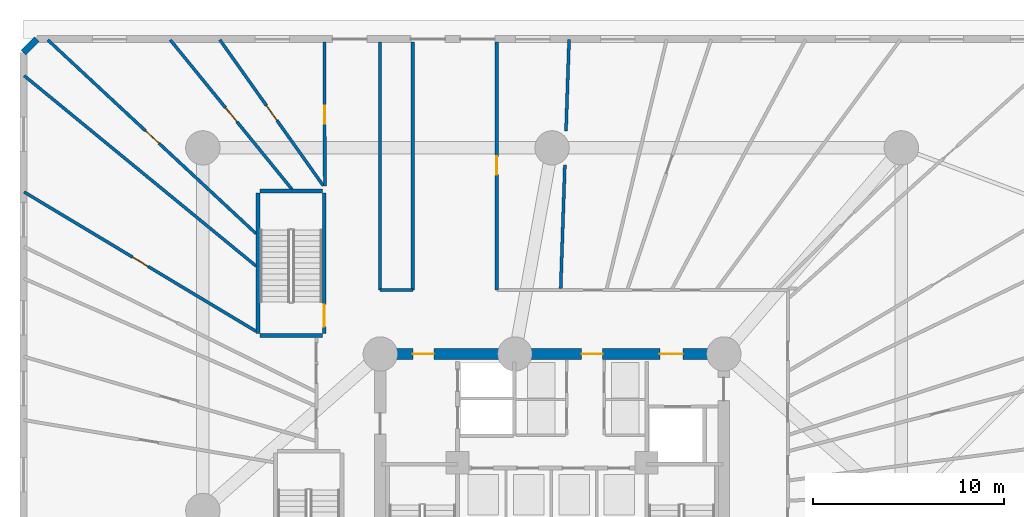
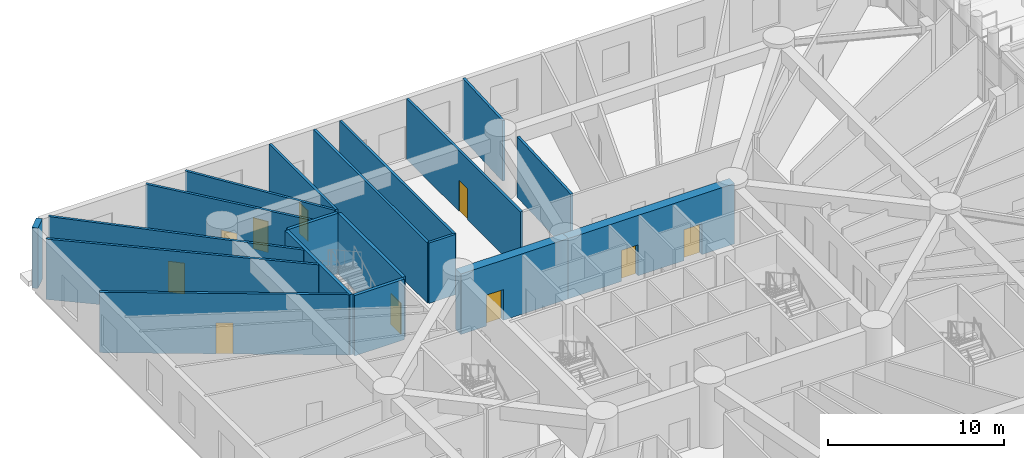
# One storey, part 18 of 30: 19 walls, 10 doors, 10 openings.
"""IFC4 building model written with IfcOpenShell, lengths in metres."""

from ifc_helpers import new_model, si_unit, direction, frame, frame_2d, origin, origin_with_axes, place, context, subcontext, project, spatial, rectangle, extrude, source, transform, mapped, material, layer, layer_set, type_object, element, fill, save


model = new_model("IFC4")

# Units and contexts
model_context = context("Model", 3, precision=1e-05, world=origin(), true_north=direction((0.0, 1.0)))
body_context = subcontext(model_context, "Body", "Model", "MODEL_VIEW")
ifc_project = project(units=[si_unit("LENGTHUNIT", "METRE"), si_unit("AREAUNIT", "SQUARE_METRE"), si_unit("VOLUMEUNIT", "CUBIC_METRE"), si_unit("PLANEANGLEUNIT", "RADIAN"), si_unit("MASSUNIT", "GRAM", prefix="KILO")], contexts=[model_context])

# Site, building, storey
site_placement = place(None, origin())
site = spatial("IfcSite", under=ifc_project, at=site_placement, CompositionType="ELEMENT")
building_placement = place(site_placement, origin())
building = spatial("IfcBuilding", under=site, at=building_placement, Name="Karkom Vertical University and Central Library", CompositionType="ELEMENT")
storey_placement = place(building_placement, origin())
storey = spatial("IfcBuildingStorey", under=building, at=storey_placement, Name="L00", CompositionType="ELEMENT", Elevation=0.0)

# Walls
ifc_material_1 = material(Name="Brick masonry 360mm insulated cavity", Category="masonry")
ifc_layer_1 = layer(ifc_material_1, 0.360107421875)
ifc_layer_set_1 = layer_set([ifc_layer_1], Name="Brick masonry 360mm insulated cavity")
wall_type_1 = type_object("IfcWallType", Name="ENV-WL-BRK-360", PredefinedType="SOLIDWALL", material=ifc_layer_set_1)
wall_1_placement = place(storey_placement, frame((1.5, 51.199951171875, 0.0), z_axis=(0.0, 0.0, 1.0), x_axis=(-0.707106781187, -0.707106781187, 0.0)))
element("IfcWall", 1, at=wall_1_placement, inside=storey, type_object=wall_type_1, Name="Level 00 POD Terracotta Brick Facade Wall 06", PredefinedType="SOLIDWALL", context=body_context, shape_type="SweptSolid", body=[
    extrude(rectangle(XDim=0.989990234375, YDim=0.360107421875, at=frame_2d((0.4951171875, 0.0))), origin(), (0.0, 0.0, 1.0), 4.199951171875),
])
ifc_material_2 = material(Name="Insulated metal-stud drywall 160mm", Category="gypsum")
ifc_layer_2 = layer(ifc_material_2, 0.159912109375)
ifc_layer_set_2 = layer_set([ifc_layer_2], Name="Insulated metal-stud drywall 160mm")
wall_type_2 = type_object("IfcWallType", Name="INT-WL-COR-160", PredefinedType="PARTITIONING", material=ifc_layer_set_2)
wall_2_placement = place(storey_placement, frame((12.992919921875, 39.306640625, 0.0), z_axis=(0.0, 0.0, 1.0), x_axis=(-0.772944890545, 0.634473164272, 0.0)))
element("IfcWall", 2, at=wall_2_placement, inside=storey, type_object=wall_type_2, Name="Level 00 Interior Partition Wall L00-PODW-44-45-1", PredefinedType="PARTITIONING", context=body_context, shape_type="SweptSolid", body=[
    extrude(rectangle(XDim=15.723388671875, YDim=0.159912109375, at=frame_2d((7.86181640625, 0.0))), origin(), (0.0, 0.0, 1.0), 4.199951171875),
])

# Wall, opening, door
wall_3_placement = place(storey_placement, frame((12.992919921875, 41.00390625, 0.0), z_axis=(0.0, 0.0, 1.0), x_axis=(-0.732268799171, 0.681015716236, 0.0)))
wall_3 = element("IfcWall", 3, at=wall_3_placement, inside=storey, type_object=wall_type_2, Name="Level 00 Interior Partition Wall L00-PODW-43-44-1", PredefinedType="PARTITIONING", context=body_context, shape_type="SweptSolid", body=[
    extrude(rectangle(XDim=14.90478515625, YDim=0.159912109375, at=frame_2d((7.452392578125, 0.0))), origin(), (0.0, 0.0, 1.0), 4.199951171875),
])
opening_1_placement = place(wall_3_placement, frame((6.9599609375, 0.0, 0.0)))
opening_1 = element("IfcOpeningElement", 4, at=opening_1_placement, cuts=wall_3, Name="Opening FD-RM2", PredefinedType="OPENING", context=body_context, shape_type="SweptSolid", body=[
    extrude(rectangle(XDim=0.9599609375, YDim=2.14990234375, at=frame_2d((0.47998046875, 1.074951171875))), frame((0.0, 0.08984375, 0.0), z_axis=(0.0, -1.0, 0.0), x_axis=(1.0, 0.0, 0.0)), (0.0, 0.0, 1.0), 0.179931640625),
])
ifc_material_3 = material(Name="Fire-rated oak veneer door", Category="wood")
door_type_1 = type_object("IfcDoorType", Name="INT-DR-FRM2", OperationType="NOTDEFINED", PredefinedType="DOOR", material=ifc_material_3)
shared_shape_1 = source(origin_with_axes(), body_context, "Body", "SweptSolid", [
    extrude(rectangle(XDim=0.9599609375, YDim=2.14990234375, at=frame_2d((0.47998046875, 1.074951171875))), frame((0.0, 0.02490234375, 0.0), z_axis=(0.0, -1.0, 0.0), x_axis=(1.0, 0.0, 0.0)), (0.0, 0.0, 1.0), 0.050048828125),
])
door_1_placement = place(opening_1_placement, origin())
door_1 = element("IfcDoor", 5, at=door_1_placement, inside=storey, type_object=door_type_1, Name="Level 00 Room Entry Door 843", OperationType="SINGLE_SWING_RIGHT", OverallHeight=2.14990234375, OverallWidth=0.9599609375, PredefinedType="DOOR", context=body_context, shape_type="MappedRepresentation", body=[
    mapped(shared_shape_1, transform((0.0, 0.0, 0.0), scale=1.0)),
])
fill(opening_1, door_1)

wall_4_placement = place(storey_placement, frame((12.992919921875, 35.885498046875, 0.0), z_axis=(0.0, 0.0, 1.0), x_axis=(-0.857213350392, 0.514961427594, 0.0)))
wall_4 = element("IfcWall", 6, at=wall_4_placement, inside=storey, type_object=wall_type_2, Name="Level 00 Interior Partition Wall L00-PODW-45-46-1", PredefinedType="PARTITIONING", context=body_context, shape_type="SweptSolid", body=[
    extrude(rectangle(XDim=14.18408203125, YDim=0.159912109375, at=frame_2d((7.092041015625, 0.0))), origin(), (0.0, 0.0, 1.0), 4.199951171875),
])
opening_2_placement = place(wall_4_placement, frame((6.599609375, 0.0, 0.0)))
opening_2 = element("IfcOpeningElement", 7, at=opening_2_placement, cuts=wall_4, Name="Opening FD-RM2", PredefinedType="OPENING", context=body_context, shape_type="SweptSolid", body=[
    extrude(rectangle(XDim=0.9599609375, YDim=2.14990234375, at=frame_2d((0.47998046875, 1.074951171875))), frame((0.0, 0.08984375, 0.0), z_axis=(0.0, -1.0, 0.0), x_axis=(1.0, 0.0, 0.0)), (0.0, 0.0, 1.0), 0.179931640625),
])
door_2_placement = place(opening_2_placement, origin())
door_2 = element("IfcDoor", 8, at=door_2_placement, inside=storey, type_object=door_type_1, Name="Level 00 Room Entry Door 844", OperationType="SINGLE_SWING_LEFT", OverallHeight=2.14990234375, OverallWidth=0.9599609375, PredefinedType="DOOR", context=body_context, shape_type="MappedRepresentation", body=[
    mapped(shared_shape_1, transform((0.0, 0.0, 0.0), scale=1.0)),
])
fill(opening_2, door_2)

wall_5_placement = place(storey_placement, frame((14.872314453125, 43.325439453125, 0.0), z_axis=(0.0, 0.0, 1.0), x_axis=(-0.63154172537, 0.775341891759, 0.0)))
wall_5 = element("IfcWall", 9, at=wall_5_placement, inside=storey, type_object=wall_type_2, Name="Level 00 Interior Partition Wall L00-PODW-42-43-1", PredefinedType="PARTITIONING", context=body_context, shape_type="SweptSolid", body=[
    extrude(rectangle(XDim=10.105224609375, YDim=0.159912109375, at=frame_2d((5.052734375, 0.0))), origin(), (0.0, 0.0, 1.0), 4.199951171875),
])
opening_3_placement = place(wall_5_placement, frame((4.552490234375, 0.0, 0.0)))
opening_3 = element("IfcOpeningElement", 10, at=opening_3_placement, cuts=wall_5, Name="Opening FD-RM2", PredefinedType="OPENING", context=body_context, shape_type="SweptSolid", body=[
    extrude(rectangle(XDim=0.9599609375, YDim=2.14990234375, at=frame_2d((0.47998046875, 1.074951171875))), frame((0.0, 0.08984375, 0.0), z_axis=(0.0, -1.0, 0.0), x_axis=(1.0, 0.0, 0.0)), (0.0, 0.0, 1.0), 0.179931640625),
])
door_3_placement = place(opening_3_placement, origin())
door_3 = element("IfcDoor", 11, at=door_3_placement, inside=storey, type_object=door_type_1, Name="Level 00 Room Entry Door 842", OperationType="SINGLE_SWING_LEFT", OverallHeight=2.14990234375, OverallWidth=0.9599609375, PredefinedType="DOOR", context=body_context, shape_type="MappedRepresentation", body=[
    mapped(shared_shape_1, transform((0.0, 0.0, 0.0), scale=1.0)),
])
fill(opening_3, door_3)

wall_6_placement = place(storey_placement, frame((16.509765625, 43.517578125, 0.0), z_axis=(0.0, 0.0, 1.0), x_axis=(-0.578309317505, 0.815817585792, 0.0)))
wall_6 = element("IfcWall", 12, at=wall_6_placement, inside=storey, type_object=wall_type_2, Name="Level 00 Interior Partition Wall L00-PODW-41-42-1", PredefinedType="PARTITIONING", context=body_context, shape_type="SweptSolid", body=[
    extrude(rectangle(XDim=9.37158203125, YDim=0.159912109375, at=frame_2d((4.685791015625, 0.0))), origin(), (0.0, 0.0, 1.0), 4.199951171875),
])
opening_4_placement = place(wall_6_placement, frame((4.193359375, 0.0, 0.0)))
opening_4 = element("IfcOpeningElement", 13, at=opening_4_placement, cuts=wall_6, Name="Opening FD-RM2", PredefinedType="OPENING", context=body_context, shape_type="SweptSolid", body=[
    extrude(rectangle(XDim=0.9599609375, YDim=2.14990234375, at=frame_2d((0.47998046875, 1.074951171875))), frame((0.0, 0.08984375, 0.0), z_axis=(0.0, -1.0, 0.0), x_axis=(1.0, 0.0, 0.0)), (0.0, 0.0, 1.0), 0.179931640625),
])
door_4_placement = place(opening_4_placement, origin())
door_4 = element("IfcDoor", 14, at=door_4_placement, inside=storey, type_object=door_type_1, Name="Level 00 Room Entry Door 841", OperationType="SINGLE_SWING_RIGHT", OverallHeight=2.14990234375, OverallWidth=0.9599609375, PredefinedType="DOOR", context=body_context, shape_type="MappedRepresentation", body=[
    mapped(shared_shape_1, transform((0.0, 0.0, 0.0), scale=1.0)),
])
fill(opening_4, door_4)

# Walls
wall_7_placement = place(storey_placement, frame((28.951171875, 38.132080078125, 0.0), z_axis=(0.0, 0.0, 1.0), x_axis=(0.033598266136, 0.99943541888, 0.0)))
element("IfcWall", 15, at=wall_7_placement, inside=storey, type_object=wall_type_2, Name="Level 00 Interior Partition Wall L00-PODW-38-39-2", PredefinedType="PARTITIONING", context=body_context, shape_type="SweptSolid", body=[
    extrude(rectangle(XDim=6.481689453125, YDim=0.159912109375, at=frame_2d((3.24072265625, 0.0))), origin(), (0.0, 0.0, 1.0), 4.199951171875),
])
wall_8_placement = place(storey_placement, frame((29.228759765625, 46.389892578125, 0.0), z_axis=(0.0, 0.0, 1.0), x_axis=(0.033603460508, 0.999435244246, 0.0)))
element("IfcWall", 16, at=wall_8_placement, inside=storey, type_object=wall_type_2, Name="Level 00 Interior Partition Wall L00-PODW-38-39-1", PredefinedType="PARTITIONING", context=body_context, shape_type="SweptSolid", body=[
    extrude(rectangle(XDim=4.787841796875, YDim=0.159912109375, at=frame_2d((2.39404296875, 0.0))), origin(), (0.0, 0.0, 1.0), 4.199951171875),
])
ifc_layer_3 = layer(ifc_material_2, 0.159912109375)
ifc_layer_set_3 = layer_set([ifc_layer_3], Name="Insulated metal-stud drywall 160mm")
wall_type_3 = type_object("IfcWallType", Name="INT-WL-COR-160F", PredefinedType="PARTITIONING", material=ifc_layer_set_3)
for number, where, z_axis, x_axis, name in (
    (17, (19.47998046875, 51.034912109375, 0.0), (0.0, 0.0, 1.0), (0.0, -1.0, 0.0), "Level 00 Interior Partition Wall L00-PDCW-CW-004"),
    (18, (21.199951171875, 38.050048828125, 0.0), (0.0, 0.0, 1.0), (0.0, 1.0, 0.0), "Level 00 Interior Partition Wall L00-PDCW-CW-006"),
):
    element("IfcWall", number, at=place(storey_placement, frame(where, z_axis=z_axis, x_axis=x_axis)), inside=storey, type_object=wall_type_3, Name=name, PredefinedType="PARTITIONING", context=body_context, shape_type="SweptSolid", body=[
        extrude(rectangle(XDim=12.98486328125, YDim=0.159912109375, at=frame_2d((6.492431640625, 0.0))), origin(), (0.0, 0.0, 1.0), 4.199951171875),
    ])

# Wall, opening, door
wall_9_placement = place(storey_placement, frame((25.60009765625, 51.034912109375, 0.0), z_axis=(0.0, 0.0, 1.0), x_axis=(0.0, -1.0, 0.0)))
wall_9 = element("IfcWall", 19, at=wall_9_placement, inside=storey, type_object=wall_type_3, Name="Level 00 Interior Partition Wall L00-PDCW-CW-007", PredefinedType="PARTITIONING", context=body_context, shape_type="SweptSolid", body=[
    extrude(rectangle(XDim=12.98486328125, YDim=0.159912109375, at=frame_2d((6.492431640625, 0.0))), origin(), (0.0, 0.0, 1.0), 4.199951171875),
])
opening_5_placement = place(wall_9_placement, frame((5.97998046875, 0.0, 0.0)))
opening_5 = element("IfcOpeningElement", 20, at=opening_5_placement, cuts=wall_9, Name="Opening FD-RM2", PredefinedType="OPENING", context=body_context, shape_type="SweptSolid", body=[
    extrude(rectangle(XDim=0.9599609375, YDim=2.14990234375, at=frame_2d((0.47998046875, 1.074951171875))), frame((0.0, 0.08984375, 0.0), z_axis=(0.0, -1.0, 0.0), x_axis=(1.0, 0.0, 0.0)), (0.0, 0.0, 1.0), 0.179931640625),
])
door_5_placement = place(opening_5_placement, origin())
door_5 = element("IfcDoor", 21, at=door_5_placement, inside=storey, type_object=door_type_1, Name="Level 00 Room Entry Door 838", OperationType="SINGLE_SWING_LEFT", OverallHeight=2.14990234375, OverallWidth=0.9599609375, PredefinedType="DOOR", context=body_context, shape_type="MappedRepresentation", body=[
    mapped(shared_shape_1, transform((0.0, 0.0, 0.0), scale=1.0)),
])
fill(opening_5, door_5)

wall_10_placement = place(storey_placement, frame((16.58984375, 43.510009765625, 0.0), z_axis=(0.0, 0.0, 1.0), x_axis=(-0.001297773224, 0.999999157892, 0.0)))
wall_10 = element("IfcWall", 22, at=wall_10_placement, inside=storey, type_object=wall_type_3, Name="Level 00 Interior Partition Wall L00-PDCW-CW-003", PredefinedType="PARTITIONING", context=body_context, shape_type="SweptSolid", body=[
    extrude(rectangle(XDim=7.52490234375, YDim=0.159912109375, at=frame_2d((3.762451171875, 0.0))), origin(), (0.0, 0.0, 1.0), 4.199951171875),
])
opening_6_placement = place(wall_10_placement, frame((3.25, 0.0, 0.0)))
opening_6 = element("IfcOpeningElement", 23, at=opening_6_placement, cuts=wall_10, Name="Opening FD-RM2", PredefinedType="OPENING", context=body_context, shape_type="SweptSolid", body=[
    extrude(rectangle(XDim=0.9599609375, YDim=2.14990234375, at=frame_2d((0.47998046875, 1.074951171875))), frame((0.0, 0.08984375, 0.0), z_axis=(0.0, -1.0, 0.0), x_axis=(1.0, 0.0, 0.0)), (0.0, 0.0, 1.0), 0.179931640625),
])
door_6_placement = place(opening_6_placement, origin())
door_6 = element("IfcDoor", 24, at=door_6_placement, inside=storey, type_object=door_type_1, Name="Level 00 Room Entry Door 840", OperationType="SINGLE_SWING_LEFT", OverallHeight=2.14990234375, OverallWidth=0.9599609375, PredefinedType="DOOR", context=body_context, shape_type="MappedRepresentation", body=[
    mapped(shared_shape_1, transform((0.0, 0.0, 0.0), scale=1.0)),
])
fill(opening_6, door_6)

# Wall
wall_11_placement = place(storey_placement, frame((19.47998046875, 38.050048828125, 0.0), z_axis=(0.0, 0.0, 1.0), x_axis=(1.0, 0.0, 0.0)))
element("IfcWall", 25, at=wall_11_placement, inside=storey, type_object=wall_type_3, Name="Level 00 Interior Partition Wall L00-PDCW-CW-005", PredefinedType="PARTITIONING", context=body_context, shape_type="SweptSolid", body=[
    extrude(rectangle(XDim=1.719970703125, YDim=0.159912109375, at=frame_2d((0.85986328125, 0.0))), origin(), (0.0, 0.0, 1.0), 4.199951171875),
])

# Wall, openings, doors
ifc_material_4 = material(Name="Concrete C50/60", Category="concrete")
ifc_layer_4 = layer(ifc_material_4, 0.60009765625)
ifc_layer_set_4 = layer_set([ifc_layer_4], Name="Concrete C50/60")
wall_type_4 = type_object("IfcWallType", Name="STR-WL-CW-600", PredefinedType="SHEAR", material=ifc_layer_set_4)
wall_12_placement = place(storey_placement, frame((37.5, 34.699951171875, 0.0), z_axis=(0.0, 0.0, 1.0), x_axis=(-1.0, 0.0, 0.0)))
wall_12 = element("IfcWall", 26, at=wall_12_placement, inside=storey, type_object=wall_type_4, Name="Level 00 Central Core Shear Wall NW1", PredefinedType="SHEAR", context=body_context, shape_type="SweptSolid", body=[
    extrude(rectangle(XDim=10.949951171875, YDim=0.60009765625, at=frame_2d((5.47509765625, 0.0))), origin(), (0.0, 0.0, 1.0), 4.199951171875),
])
opening_7_placement = place(wall_12_placement, frame((2.14990234375, 0.0, 0.0)))
opening_7 = element("IfcOpeningElement", 27, at=opening_7_placement, cuts=wall_12, Name="Opening FD-SUB1", PredefinedType="OPENING", context=body_context, shape_type="SweptSolid", body=[
    extrude(rectangle(XDim=1.199951171875, YDim=2.14990234375, at=frame_2d((0.60009765625, 1.074951171875))), frame((0.0, 0.31005859375, 0.0), z_axis=(0.0, -1.0, 0.0), x_axis=(1.0, 0.0, 0.0)), (0.0, 0.0, 1.0), 0.6201171875),
])
opening_8_placement = place(wall_12_placement, frame((6.35009765625, 0.0, 0.0)))
opening_8 = element("IfcOpeningElement", 28, at=opening_8_placement, cuts=wall_12, Name="Opening FD-FFL", PredefinedType="OPENING", context=body_context, shape_type="SweptSolid", body=[
    extrude(rectangle(XDim=1.10009765625, YDim=2.14990234375, at=frame_2d((0.550048828125, 1.074951171875))), frame((0.0, 0.31005859375, 0.0), z_axis=(0.0, -1.0, 0.0), x_axis=(1.0, 0.0, 0.0)), (0.0, 0.0, 1.0), 0.6201171875),
])
ifc_material_5 = material(Name="Painted steel smoke-seal fire door", Category="steel")
door_type_2 = type_object("IfcDoorType", Name="INT-DR-FFL", OperationType="NOTDEFINED", PredefinedType="DOOR", material=ifc_material_5)
shared_shape_2 = source(origin_with_axes(), body_context, "Body", "SweptSolid", [
    extrude(rectangle(XDim=1.10009765625, YDim=2.14990234375, at=frame_2d((0.550048828125, 1.074951171875))), frame((0.0, 0.02490234375, 0.0), z_axis=(0.0, -1.0, 0.0), x_axis=(1.0, 0.0, 0.0)), (0.0, 0.0, 1.0), 0.050048828125),
])
door_7_placement = place(opening_8_placement, origin())
door_7 = element("IfcDoor", 29, at=door_7_placement, inside=storey, type_object=door_type_2, Name="Level 00 North Core Lobby Exit Door", OperationType="SINGLE_SWING_RIGHT", OverallHeight=2.14990234375, OverallWidth=1.10009765625, PredefinedType="DOOR", context=body_context, shape_type="MappedRepresentation", body=[
    mapped(shared_shape_2, transform((0.0, 0.0, 0.0), scale=1.0)),
])
fill(opening_8, door_7)
ifc_material_6 = material(Name="Painted steel fire door", Category="steel")
door_type_3 = type_object("IfcDoorType", Name="INT-DR-SUB1", OperationType="NOTDEFINED", PredefinedType="DOOR", material=ifc_material_6)
shared_shape_3 = source(origin_with_axes(), body_context, "Body", "SweptSolid", [
    extrude(rectangle(XDim=1.199951171875, YDim=2.14990234375, at=frame_2d((0.60009765625, 1.074951171875))), frame((0.0, 0.02490234375, 0.0), z_axis=(0.0, -1.0, 0.0), x_axis=(1.0, 0.0, 0.0)), (0.0, 0.0, 1.0), 0.050048828125),
])
door_8_placement = place(opening_7_placement, origin())
door_8 = element("IfcDoor", 30, at=door_8_placement, inside=storey, type_object=door_type_3, Name="Level 00 Service Lobby Fire Door", OperationType="SINGLE_SWING_LEFT", OverallHeight=2.14990234375, OverallWidth=1.199951171875, PredefinedType="DOOR", context=body_context, shape_type="MappedRepresentation", body=[
    mapped(shared_shape_3, transform((0.0, 0.0, 0.0), scale=1.0)),
])
fill(opening_7, door_8)

# Wall, opening, door
wall_13_placement = place(storey_placement, frame((26.550048828125, 34.699951171875, 0.0), z_axis=(0.0, 0.0, 1.0), x_axis=(-1.0, 0.0, 0.0)))
wall_13 = element("IfcWall", 31, at=wall_13_placement, inside=storey, type_object=wall_type_4, Name="Level 00 Central Core Shear Wall NW2", PredefinedType="SHEAR", context=body_context, shape_type="SweptSolid", body=[
    extrude(rectangle(XDim=7.050048828125, YDim=0.60009765625, at=frame_2d((3.52490234375, 0.0))), origin(), (0.0, 0.0, 1.0), 4.199951171875),
])
opening_9_placement = place(wall_13_placement, frame((4.25, 0.0, 0.0)))
opening_9 = element("IfcOpeningElement", 32, at=opening_9_placement, cuts=wall_13, Name="Opening FD-FFL", PredefinedType="OPENING", context=body_context, shape_type="SweptSolid", body=[
    extrude(rectangle(XDim=1.10009765625, YDim=2.14990234375, at=frame_2d((0.550048828125, 1.074951171875))), frame((0.0, 0.31005859375, 0.0), z_axis=(0.0, -1.0, 0.0), x_axis=(1.0, 0.0, 0.0)), (0.0, 0.0, 1.0), 0.6201171875),
])
door_9_placement = place(opening_9_placement, origin())
door_9 = element("IfcDoor", 33, at=door_9_placement, inside=storey, type_object=door_type_2, Name="Level 00 Firefighting Lobby Door", OperationType="SINGLE_SWING_RIGHT", OverallHeight=2.14990234375, OverallWidth=1.10009765625, PredefinedType="DOOR", context=body_context, shape_type="MappedRepresentation", body=[
    mapped(shared_shape_2, transform((0.0, 0.0, 0.0), scale=1.0)),
])
fill(opening_9, door_9)

# Wall
ifc_material_7 = material(Name="Concrete C45/55", Category="concrete")
ifc_layer_5 = layer(ifc_material_7, 0.199951171875)
ifc_layer_set_5 = layer_set([ifc_layer_5], Name="Concrete C45/55")
wall_type_5 = type_object("IfcWallType", Name="STR-WL-ST-200", PredefinedType="SHEAR", material=ifc_layer_set_5)
wall_14_placement = place(storey_placement, frame((13.094970703125, 35.780029296875, 0.0), z_axis=(0.0, 0.0, 1.0), x_axis=(0.0, 1.0, 0.0)))
element("IfcWall", 34, at=wall_14_placement, inside=storey, type_object=wall_type_5, Name="Level 00 Core Shaft Wall L00-W-POD2-W", PredefinedType="SHEAR", context=body_context, shape_type="SweptSolid", body=[
    extrude(rectangle(XDim=7.349853515625, YDim=0.199951171875, at=frame_2d((3.6748046875, 0.0))), origin(), (0.0, 0.0, 1.0), 4.199951171875),
])

# Wall, opening, door
wall_15_placement = place(storey_placement, frame((16.56494140625, 35.780029296875, 0.0), z_axis=(0.0, 0.0, 1.0), x_axis=(0.0, 1.0, 0.0)))
wall_15 = element("IfcWall", 35, at=wall_15_placement, inside=storey, type_object=wall_type_5, Name="Level 00 Core Shaft Wall L00-W-POD2-E", PredefinedType="SHEAR", context=body_context, shape_type="SweptSolid", body=[
    extrude(rectangle(XDim=7.349853515625, YDim=0.199951171875, at=frame_2d((3.6748046875, 0.0))), origin(), (0.0, 0.0, 1.0), 4.199951171875),
])
opening_10_placement = place(wall_15_placement, frame((0.35009765625, 0.0, 0.0)))
opening_10 = element("IfcOpeningElement", 36, at=opening_10_placement, cuts=wall_15, Name="Opening FD-ST1", PredefinedType="OPENING", context=body_context, shape_type="SweptSolid", body=[
    extrude(rectangle(XDim=1.14990234375, YDim=2.14990234375, at=frame_2d((0.574951171875, 1.074951171875))), frame((0.0, 0.10986328125, 0.0), z_axis=(0.0, -1.0, 0.0), x_axis=(1.0, 0.0, 0.0)), (0.0, 0.0, 1.0), 0.219970703125),
])
ifc_material_8 = material(Name="Painted steel acoustic fire door", Category="steel")
door_type_4 = type_object("IfcDoorType", Name="INT-DR-ST1", OperationType="NOTDEFINED", PredefinedType="DOOR", material=ifc_material_8)
shared_shape_4 = source(origin_with_axes(), body_context, "Body", "SweptSolid", [
    extrude(rectangle(XDim=1.14990234375, YDim=2.14990234375, at=frame_2d((0.574951171875, 1.074951171875))), frame((0.0, 0.02490234375, 0.0), z_axis=(0.0, -1.0, 0.0), x_axis=(1.0, 0.0, 0.0)), (0.0, 0.0, 1.0), 0.050048828125),
])
door_10_placement = place(opening_10_placement, origin())
door_10 = element("IfcDoor", 37, at=door_10_placement, inside=storey, type_object=door_type_4, Name="Level 00 POD2 Stair Door", OperationType="SINGLE_SWING_LEFT", OverallHeight=2.14990234375, OverallWidth=1.14990234375, PredefinedType="DOOR", context=body_context, shape_type="MappedRepresentation", body=[
    mapped(shared_shape_4, transform((0.0, 0.0, 0.0), scale=1.0)),
])
fill(opening_10, door_10)

# Walls
for number, where, z_axis, x_axis, name in (
    (38, (13.199951171875, 35.675048828125, 0.0), (0.0, 0.0, 1.0), (1.0, 0.0, 0.0), "Level 00 Core Shaft Wall L00-W-POD2-S"),
    (39, (13.199951171875, 43.235107421875, 0.0), (0.0, 0.0, 1.0), (1.0, 0.0, 0.0), "Level 00 Core Shaft Wall L00-W-POD2-N"),
):
    element("IfcWall", number, at=place(storey_placement, frame(where, z_axis=z_axis, x_axis=x_axis)), inside=storey, type_object=wall_type_5, Name=name, PredefinedType="SHEAR", context=body_context, shape_type="SweptSolid", body=[
        extrude(rectangle(XDim=3.260009765625, YDim=0.199951171875, at=frame_2d((1.6298828125, 0.0))), origin(), (0.0, 0.0, 1.0), 4.199951171875),
    ])

save(model, "model.ifc")
